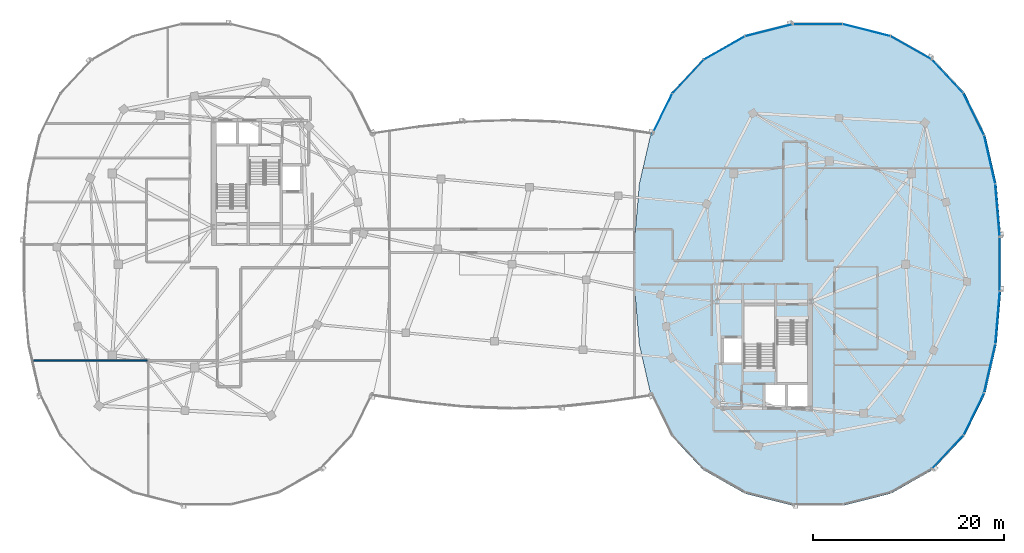
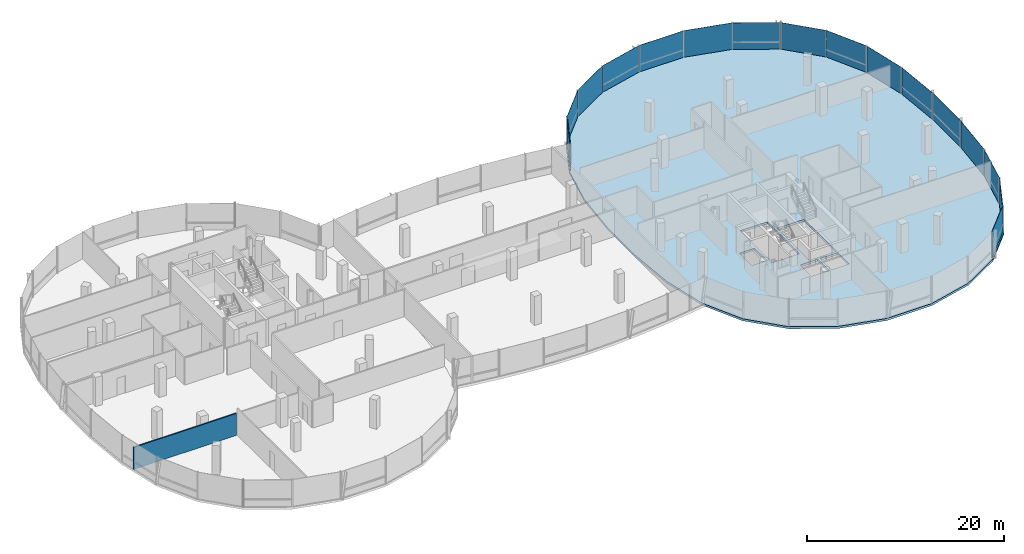
# One storey, part 13 of 25: 16 plates, 1 slab, 1 wall, 3 elements without a shape of their own.
"""IFC4 building model written with IfcOpenShell, lengths in metres."""

from ifc_helpers import new_model, si_unit, direction, frame, frame_2d, origin, origin_2d, place, context, subcontext, project, spatial, polyline, rectangle, outline, extrude, material, layer, layer_set, type_object, element, aggregate, save


model = new_model("IFC4")

# Units and contexts
model_context = context("Model", 3, precision=1e-05, world=origin(), true_north=direction((0.0, 1.0)))
body_context = subcontext(model_context, "Body", "Model", "MODEL_VIEW")
ifc_project = project(units=[si_unit("LENGTHUNIT", "METRE"), si_unit("AREAUNIT", "SQUARE_METRE"), si_unit("VOLUMEUNIT", "CUBIC_METRE"), si_unit("PLANEANGLEUNIT", "RADIAN"), si_unit("MASSUNIT", "GRAM", prefix="KILO"), si_unit("THERMODYNAMICTEMPERATUREUNIT", "KELVIN"), si_unit("POWERUNIT", "WATT")], contexts=[model_context])

# Site, building, storey
site_placement = place(None, origin())
site = spatial("IfcSite", under=ifc_project, at=site_placement, CompositionType="ELEMENT")
building_placement = place(site_placement, origin())
building = spatial("IfcBuilding", under=site, at=building_placement, Name="Cundina Bronze Exchange", CompositionType="ELEMENT")
storey_placement = place(building_placement, frame((0.0, 0.0, 254.0)))
storey = spatial("IfcBuildingStorey", under=building, at=storey_placement, Name="L67", CompositionType="ELEMENT", Elevation=254.0)

# Curtain wall, plates
ifc_material_1 = material(Name="Anodised Bronze Aluminium 6063-T6", Category="aluminium")
curtain_wall_type = type_object("IfcCurtainWallType", Name="CWS-SKG-BRG", PredefinedType="NOTDEFINED", material=ifc_material_1)
curtain_wall_1_placement = place(storey_placement, origin())
curtain_wall_1 = element("IfcCurtainWall", 1, at=curtain_wall_1_placement, inside=storey, type_object=curtain_wall_type, Name="L67 CW-06 Curtain Wall Run CWR-L67-E1", PredefinedType="NOTDEFINED")
ifc_material_2 = material(Name="Heat-Strengthened Solar-Control Bronze Safety Glass 28mm", Category="glass")
ifc_layer_1 = layer(ifc_material_2, 0.028076171875, Name="Heat-Strengthened Solar-Control Bronze Safety Glass 28mm", Category="glass")
ifc_layer_set_1 = layer_set([ifc_layer_1], Name="Heat-Strengthened Solar-Control Bronze Safety Glass 28mm")
plate_type_1 = type_object("IfcPlateType", Name="PLT-GLZ-VIS28", PredefinedType="CURTAIN_PANEL", material=ifc_layer_set_1)
plate_1_placement = place(storey_placement, frame((50.78662109375, 5.605712890625, 0.02001953125), z_axis=(0.0, 0.0, 1.0), x_axis=(-0.083747411454, 0.996487015006, 0.0)))
plate_1 = element("IfcPlate", 2, at=plate_1_placement, type_object=plate_type_1, Name="CW-06 Glazed Panel 1", PredefinedType="CURTAIN_PANEL", context=body_context, shape_type="SweptSolid", body=[
    extrude(rectangle(XDim=5.474609375, YDim=0.028076171875, at=origin_2d()), origin(), (0.0, 0.0, 1.0), 3.300048828125),
])
plate_2_placement = place(storey_placement, frame((49.96923828125, 10.922607421875, 0.02001953125), z_axis=(0.0, 0.0, 1.0), x_axis=(-0.223284141459, 0.974753400698, 0.0)))
plate_2 = element("IfcPlate", 3, at=plate_2_placement, type_object=plate_type_1, Name="CW-06 Glazed Panel 2", PredefinedType="CURTAIN_PANEL", context=body_context, shape_type="SweptSolid", body=[
    extrude(rectangle(XDim=5.167724609375, YDim=0.028076171875, at=origin_2d()), origin(), (0.0, 0.0, 1.0), 3.300048828125),
])
plate_3_placement = place(storey_placement, frame((45.568115234375, 19.64501953125, 0.02001953125), z_axis=(0.0, 0.0, 1.0), x_axis=(-0.684343512797, 0.72915976061, 0.0)))
plate_3 = element("IfcPlate", 4, at=plate_3_placement, type_object=plate_type_1, Name="CW-06 Glazed Panel 4", PredefinedType="CURTAIN_PANEL", context=body_context, shape_type="SweptSolid", body=[
    extrude(rectangle(XDim=4.773193359375, YDim=0.028076171875, at=origin_2d()), origin(), (0.0, 0.0, 1.0), 3.300048828125),
])
plate_4_placement = place(storey_placement, frame((41.76171875, 22.6279296875, 0.02001953125), z_axis=(0.0, 0.0, 1.0), x_axis=(-0.869572506985, 0.493805280547, 0.0)))
plate_4 = element("IfcPlate", 5, at=plate_4_placement, type_object=plate_type_1, Name="CW-06 Glazed Panel 5", PredefinedType="CURTAIN_PANEL", context=body_context, shape_type="SweptSolid", body=[
    extrude(rectangle(XDim=4.907958984375, YDim=0.028076171875, at=origin_2d()), origin(), (0.0, 0.0, 1.0), 3.300048828125),
])
plate_5_placement = place(storey_placement, frame((37.109375, 24.4814453125, 0.02001953125), z_axis=(0.0, 0.0, 1.0), x_axis=(-0.969731542251, 0.244173577528, 0.0)))
plate_5 = element("IfcPlate", 6, at=plate_5_placement, type_object=plate_type_1, Name="CW-06 Glazed Panel 6", PredefinedType="CURTAIN_PANEL", context=body_context, shape_type="SweptSolid", body=[
    extrude(rectangle(XDim=5.0908203125, YDim=0.028076171875, at=origin_2d()), origin(), (0.0, 0.0, 1.0), 3.300048828125),
])
plate_6_placement = place(storey_placement, frame((32.0, 25.110107421875, 0.02001953125), z_axis=(0.0, 0.0, 1.0), x_axis=(-1.0, 0.0, 0.0)))
plate_6 = element("IfcPlate", 7, at=plate_6_placement, type_object=plate_type_1, Name="CW-06 Glazed Panel 7", PredefinedType="CURTAIN_PANEL", context=body_context, shape_type="SweptSolid", body=[
    extrude(rectangle(XDim=5.16796875, YDim=0.028076171875, at=origin_2d()), origin(), (0.0, 0.0, 1.0), 3.300048828125),
])

curtain_wall_2_placement = place(storey_placement, origin())
curtain_wall_2 = element("IfcCurtainWall", 8, at=curtain_wall_2_placement, inside=storey, type_object=curtain_wall_type, Name="L67 CW-06 Curtain Wall Run CWR-L67-E2", PredefinedType="NOTDEFINED")
plate_7_placement = place(storey_placement, frame((26.890625, 24.4814453125, 0.02001953125), z_axis=(0.0, 0.0, 1.0), x_axis=(-0.969731542251, -0.244173577528, 0.0)))
plate_7 = element("IfcPlate", 9, at=plate_7_placement, type_object=plate_type_1, Name="CW-06 Glazed Panel 1", PredefinedType="CURTAIN_PANEL", context=body_context, shape_type="SweptSolid", body=[
    extrude(rectangle(XDim=5.0908203125, YDim=0.028076171875, at=origin_2d()), origin(), (0.0, 0.0, 1.0), 3.300048828125),
])
plate_8_placement = place(storey_placement, frame((18.431884765625, 19.64501953125, 0.02001953125), z_axis=(0.0, 0.0, 1.0), x_axis=(-0.684343512797, -0.72915976061, 0.0)))
plate_8 = element("IfcPlate", 10, at=plate_8_placement, type_object=plate_type_1, Name="CW-06 Glazed Panel 3", PredefinedType="CURTAIN_PANEL", context=body_context, shape_type="SweptSolid", body=[
    extrude(rectangle(XDim=4.773193359375, YDim=0.028076171875, at=origin_2d()), origin(), (0.0, 0.0, 1.0), 3.300048828125),
])
plate_9_placement = place(storey_placement, frame((15.69873046875, 15.68017578125, 0.02001953125), z_axis=(0.0, 0.0, 1.0), x_axis=(-0.440503330345, -0.897750976582, 0.0)))
plate_9 = element("IfcPlate", 11, at=plate_9_placement, type_object=plate_type_1, Name="CW-06 Glazed Panel 4", PredefinedType="CURTAIN_PANEL", context=body_context, shape_type="SweptSolid", body=[
    extrude(rectangle(XDim=4.863525390625, YDim=0.028076171875, at=origin_2d()), origin(), (0.0, 0.0, 1.0), 3.300048828125),
])

curtain_wall_3_placement = place(storey_placement, origin())
curtain_wall_3 = element("IfcCurtainWall", 12, at=curtain_wall_3_placement, inside=storey, type_object=curtain_wall_type, Name="L67 CW-06 Curtain Wall Run CWR-L67-E4", PredefinedType="NOTDEFINED")
plate_10_placement = place(storey_placement, frame((45.568115234375, -19.64501953125, 0.02001953125), z_axis=(0.0, 0.0, 1.0), x_axis=(0.684343512797, 0.72915976061, 0.0)))
plate_10 = element("IfcPlate", 13, at=plate_10_placement, type_object=plate_type_1, Name="CW-06 Glazed Panel 1", PredefinedType="CURTAIN_PANEL", context=body_context, shape_type="SweptSolid", body=[
    extrude(rectangle(XDim=4.773193359375, YDim=0.028076171875, at=origin_2d()), origin(), (0.0, 0.0, 1.0), 3.300048828125),
])
plate_11_placement = place(storey_placement, frame((48.30126953125, -15.68017578125, 0.02001953125), z_axis=(0.0, 0.0, 1.0), x_axis=(0.440503330345, 0.897750976582, 0.0)))
plate_11 = element("IfcPlate", 14, at=plate_11_placement, type_object=plate_type_1, Name="CW-06 Glazed Panel 2", PredefinedType="CURTAIN_PANEL", context=body_context, shape_type="SweptSolid", body=[
    extrude(rectangle(XDim=4.863525390625, YDim=0.028076171875, at=origin_2d()), origin(), (0.0, 0.0, 1.0), 3.300048828125),
])
plate_12_placement = place(storey_placement, frame((49.96923828125, -10.922607421875, 0.02001953125), z_axis=(0.0, 0.0, 1.0), x_axis=(0.223284141459, 0.974753400698, 0.0)))
plate_12 = element("IfcPlate", 15, at=plate_12_placement, type_object=plate_type_1, Name="CW-06 Glazed Panel 3", PredefinedType="CURTAIN_PANEL", context=body_context, shape_type="SweptSolid", body=[
    extrude(rectangle(XDim=5.167724609375, YDim=0.028076171875, at=origin_2d()), origin(), (0.0, 0.0, 1.0), 3.300048828125),
])
plate_13_placement = place(storey_placement, frame((50.78662109375, -5.605712890625, 0.02001953125), z_axis=(0.0, 0.0, 1.0), x_axis=(0.083747411454, 0.996487015006, 0.0)))
plate_13 = element("IfcPlate", 16, at=plate_13_placement, type_object=plate_type_1, Name="CW-06 Glazed Panel 4", PredefinedType="CURTAIN_PANEL", context=body_context, shape_type="SweptSolid", body=[
    extrude(rectangle(XDim=5.474609375, YDim=0.028076171875, at=origin_2d()), origin(), (0.0, 0.0, 1.0), 3.300048828125),
])

# Plate
ifc_material_3 = material(Name="Dark Bronze Spandrel Glass Panel 32mm", Category="glass")
ifc_layer_2 = layer(ifc_material_3, 0.031982421875, Name="Dark Bronze Spandrel Glass Panel 32mm", Category="glass")
ifc_layer_set_2 = layer_set([ifc_layer_2], Name="Dark Bronze Spandrel Glass Panel 32mm")
plate_type_2 = type_object("IfcPlateType", Name="PLT-SPN-BRZ32", PredefinedType="CURTAIN_PANEL", material=ifc_layer_set_2)
plate_14_placement = place(storey_placement, frame((48.30126953125, 15.68017578125, 0.02001953125), z_axis=(0.0, 0.0, 1.0), x_axis=(-0.440503330345, 0.897750976582, 0.0)))
plate_14 = element("IfcPlate", 17, at=plate_14_placement, type_object=plate_type_2, Name="CW-06 Glazed Panel 3", PredefinedType="CURTAIN_PANEL", context=body_context, shape_type="SweptSolid", body=[
    extrude(rectangle(XDim=4.863525390625, YDim=0.031982421875, at=origin_2d()), origin(), (0.0, 0.0, 1.0), 3.300048828125),
])

aggregate(curtain_wall_1, [plate_1, plate_2, plate_14, plate_3, plate_4, plate_5, plate_6])

plate_15_placement = place(storey_placement, frame((22.23828125, 22.6279296875, 0.02001953125), z_axis=(0.0, 0.0, 1.0), x_axis=(-0.869572506985, -0.493805280547, 0.0)))
plate_15 = element("IfcPlate", 18, at=plate_15_placement, type_object=plate_type_2, Name="CW-06 Glazed Panel 2", PredefinedType="CURTAIN_PANEL", context=body_context, shape_type="SweptSolid", body=[
    extrude(rectangle(XDim=4.907958984375, YDim=0.031982421875, at=origin_2d()), origin(), (0.0, 0.0, 1.0), 3.300048828125),
])

aggregate(curtain_wall_2, [plate_7, plate_15, plate_8, plate_9])

plate_16_placement = place(storey_placement, frame((51.01904296875, 0.0, 0.02001953125), z_axis=(0.0, 0.0, 1.0), x_axis=(0.0, 1.0, 0.0)))
plate_16 = element("IfcPlate", 19, at=plate_16_placement, type_object=plate_type_2, Name="CW-06 Glazed Panel 5", PredefinedType="CURTAIN_PANEL", context=body_context, shape_type="SweptSolid", body=[
    extrude(rectangle(XDim=5.597900390625, YDim=0.031982421875, at=origin_2d()), origin(), (0.0, 0.0, 1.0), 3.300048828125),
])

aggregate(curtain_wall_3, [plate_10, plate_11, plate_12, plate_13, plate_16])

# Slab
ifc_material_4 = material(Name="Concrete C50/60", Category="concrete")
ifc_layer_3 = layer(ifc_material_4, 0.260009765625, Name="Concrete C50/60", Category="concrete")
ifc_layer_set_3 = layer_set([ifc_layer_3], Name="Concrete C50/60")
slab_type = type_object("IfcSlabType", Name="SLB-OFF-260", PredefinedType="FLOOR", material=ifc_layer_set_3)
slab_placement = place(storey_placement, frame((0.0, 0.0, -0.260009765625)))
element("IfcSlab", 20, at=slab_placement, inside=storey, type_object=slab_type, Name="L67 Leg E Structural Floor Slab", PredefinedType="FLOOR", context=body_context, shape_type="SweptSolid", body=[
    extrude(outline(polyline([(51.14892578125, 2.843994140625), (50.68310546875, 8.388916015625), (49.509033203125, 13.513916015625), (47.326904296875, 17.9609375), (43.9990234375, 21.507080078125), (39.653076171875, 23.97509765625), (34.62890625, 25.239990234375), (29.37109375, 25.239990234375), (24.346923828125, 23.97509765625), (20.0009765625, 21.507080078125), (16.673095703125, 17.9609375), (14.490966796875, 13.513916015625), (13.31689453125, 8.388916015625), (12.85107421875, 2.843994140625), (12.85107421875, -2.843994140625), (13.31689453125, -8.388916015625), (14.490966796875, -13.513916015625), (16.673095703125, -17.9609375), (20.0009765625, -21.507080078125), (24.346923828125, -23.97509765625), (29.37109375, -25.239990234375), (34.62890625, -25.239990234375), (39.653076171875, -23.97509765625), (43.9990234375, -21.507080078125), (47.326904296875, -17.9609375), (49.509033203125, -13.513916015625), (50.68310546875, -8.388916015625), (51.14892578125, -2.843994140625), (51.14892578125, 2.843994140625)]), holes=[polyline([(27.739990234375, -5.85009765625), (27.739990234375, -12.35009765625), (30.89990234375, -12.35009765625), (30.89990234375, -5.85009765625), (27.739990234375, -5.85009765625)]), polyline([(27.43994140625, -10.85009765625), (27.43994140625, -4.35009765625), (24.280029296875, -4.35009765625), (24.280029296875, -10.85009765625), (27.43994140625, -10.85009765625)]), polyline([(22.179931640625, -7.75), (23.97998046875, -7.75), (23.97998046875, -10.25), (22.179931640625, -10.25), (22.179931640625, -7.75)]), polyline([(28.85009765625, -12.64990234375), (30.89990234375, -12.64990234375), (30.89990234375, -14.949951171875), (28.85009765625, -14.949951171875), (28.85009765625, -12.64990234375)]), polyline([(26.5, -12.64990234375), (28.550048828125, -12.64990234375), (28.550048828125, -14.949951171875), (26.5, -14.949951171875), (26.5, -12.64990234375)])]), origin(), (0.0, 0.0, 1.0), 0.260009765625),
])

# Wall
ifc_material_5 = material(Name="Gypsum Acoustic Partition EI60")
ifc_layer_4 = layer(ifc_material_5, 0.14990234375, Name="Gypsum Acoustic Partition EI60")
ifc_layer_set_4 = layer_set([ifc_layer_4], Name="Gypsum Acoustic Partition EI60")
wall_type = type_object("IfcWallType", Name="WL-TEN-150", PredefinedType="PARTITIONING", material=ifc_layer_set_4)
wall_placement = place(storey_placement, frame((-50.244873046875, -10.080078125, 0.0), z_axis=(0.0, 0.0, 1.0), x_axis=(1.0, 0.0, 0.0)))
element("IfcWall", 21, at=wall_placement, inside=storey, type_object=wall_type, Name="L67 Interior Partition 015", PredefinedType="PARTITIONING", context=body_context, shape_type="SweptSolid", body=[
    extrude(rectangle(XDim=12.079833984375, YDim=0.14990234375, at=frame_2d((6.0400390625, 0.0))), origin(), (0.0, 0.0, 1.0), 2.72412109375),
])

save(model, "model.ifc")
